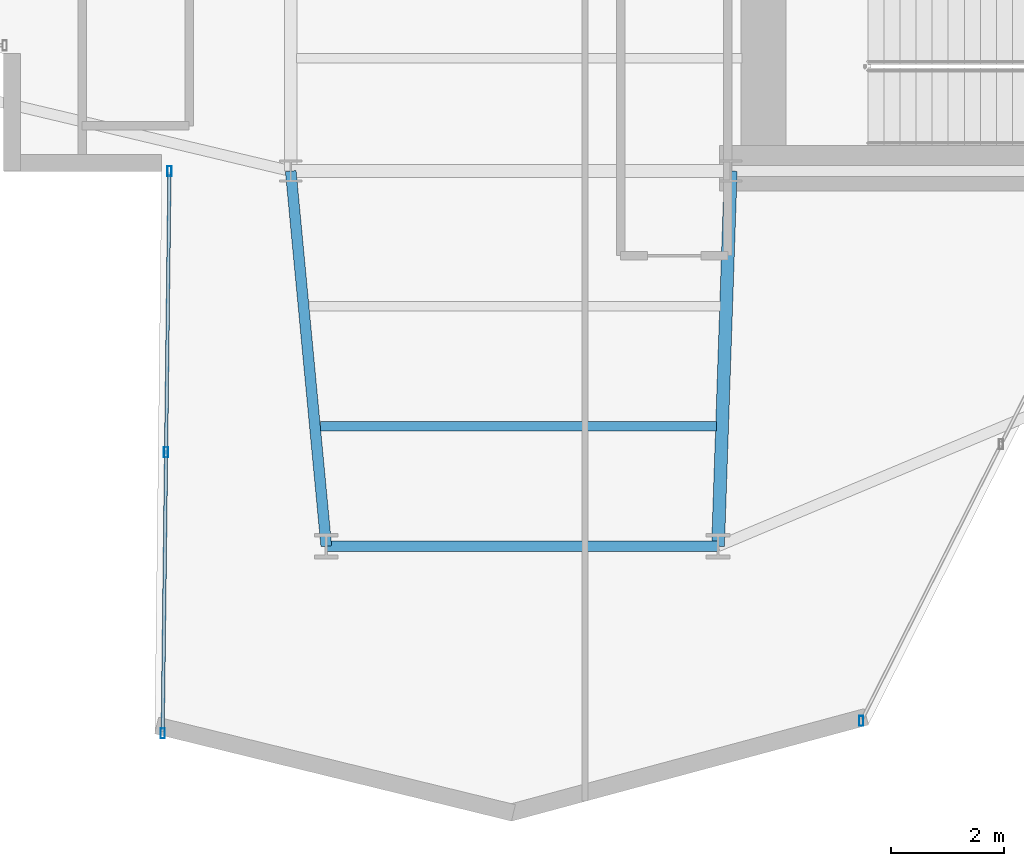
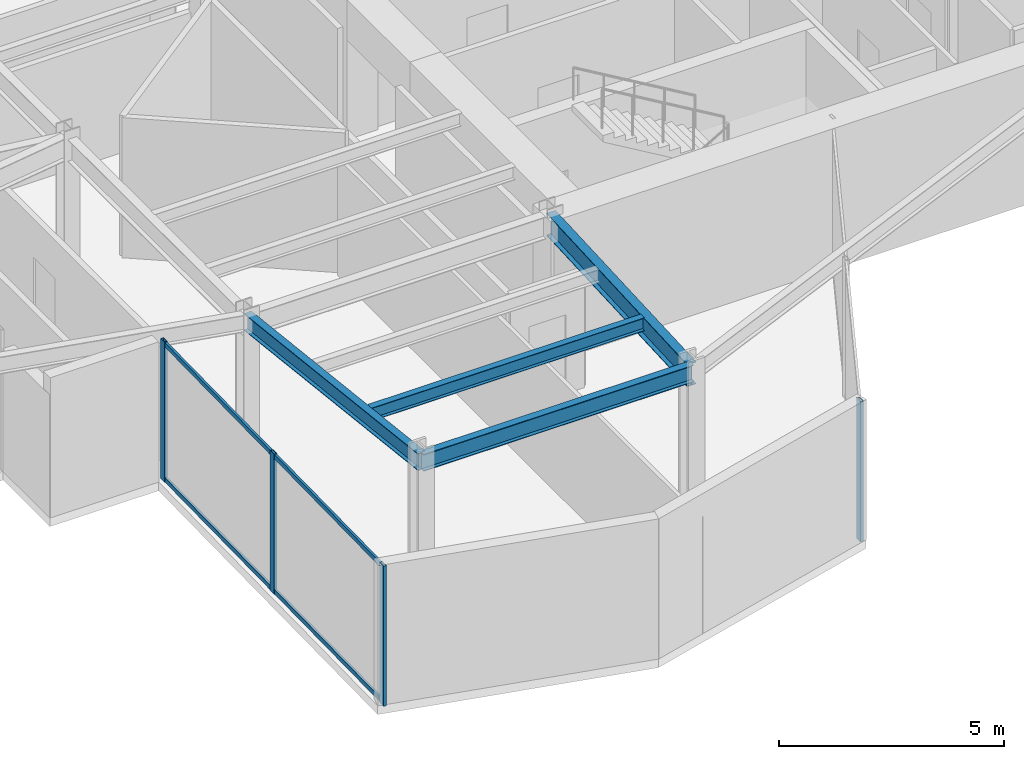
# One storey, part 4 of 26: 6 members, 4 beams, 2 elements without a shape of their own.
"""IFC4 building model written with IfcOpenShell, lengths in metres."""

import ifcopenshell
import ifcopenshell.guid

model = None  # the IFC model being written
_history = None  # IfcOwnerHistory: only IFC2X3 demands one
_inside = {}  # id of a spatial element -> (the spatial element, [elements in it])
_under = {}  # id of a project, library or spatial element -> (it, [spatial elements below it])
_declared = {}  # id of a project -> (the project, [libraries it declares])
_typed = {}  # id of a type object -> (the type object, [elements of that type])
_made_of = {}  # id of a material, layer set ... -> (it, [elements and type objects made of it])


def new_model(schema):
    """Start an empty IFC model of exactly this schema.

    Asked for "IFC4X3", IfcOpenShell would pick the latest addendum, in which some entities
    have other attributes; the version numbers below select the first issue.
    IFC2X3 requires an IfcOwnerHistory on every rooted entity: one is made here for all.
    """
    global model, _history
    if schema == "IFC4X3":
        model = ifcopenshell.file(schema_version=(4, 3, 0, 0))
    else:
        model = ifcopenshell.file(schema=schema)
    _inside.clear()
    _under.clear()
    _declared.clear()
    _typed.clear()
    _made_of.clear()
    _history = None
    if model.schema == "IFC2X3":
        org = make("IfcOrganization", Name="unknown")
        user = make(
            "IfcPersonAndOrganization",
            ThePerson=make("IfcPerson", FamilyName="unknown"),
            TheOrganization=org,
        )
        app = make(
            "IfcApplication",
            ApplicationDeveloper=org,
            Version="unknown",
            ApplicationFullName="unknown",
            ApplicationIdentifier="unknown",
        )
        _history = make(
            "IfcOwnerHistory",
            OwningUser=user,
            OwningApplication=app,
            ChangeAction="ADDED",
            CreationDate=0,
        )
    return model


def make(cls, **values):
    """One entity of the class cls with the attributes given. An attribute that is None is left unset."""
    return model.create_entity(
        cls, **{name: value for name, value in values.items() if value is not None}
    )


def rooted(cls, **values):
    """An entity with a GlobalId (a new one), such as an element, a storey or a relation."""
    return make(cls, GlobalId=ifcopenshell.guid.new(), OwnerHistory=_history, **values)


def si_unit(unit_type, name, prefix=None):
    """IfcSIUnit, for example si_unit("LENGTHUNIT", "METRE", prefix="MILLI")."""
    return make("IfcSIUnit", UnitType=unit_type, Prefix=prefix, Name=name)


def assignment(units):
    """IfcUnitAssignment: the units of a project."""
    return None if units is None else make("IfcUnitAssignment", Units=units)


def point(xyz):
    """IfcCartesianPoint."""
    return None if xyz is None else make("IfcCartesianPoint", Coordinates=xyz)


def direction(xyz):
    """IfcDirection."""
    return None if xyz is None else make("IfcDirection", DirectionRatios=xyz)


def frame(location, z_axis=None, x_axis=None):
    """IfcAxis2Placement3D, a coordinate frame: its origin and axes. An axis left out is left unset."""
    return make(
        "IfcAxis2Placement3D",
        Location=point(location),
        Axis=direction(z_axis),
        RefDirection=direction(x_axis),
    )


def frame_2d(location, x_axis=None):
    """IfcAxis2Placement2D, a coordinate frame in the plane: its origin and x axis."""
    return make(
        "IfcAxis2Placement2D", Location=point(location), RefDirection=direction(x_axis)
    )


def origin():
    """The frame at (0, 0, 0) with its axes left unset."""
    return frame((0.0, 0.0, 0.0))


def origin_2d():
    """The frame at (0, 0) in the plane with its x axis left unset."""
    return frame_2d((0.0, 0.0))


def place(relative_to, where):
    """IfcLocalPlacement: puts the frame where relative to a parent placement (None: the world)."""
    return make(
        "IfcLocalPlacement", PlacementRelTo=relative_to, RelativePlacement=where
    )


def context(
    kind, dimensions, precision=None, world=None, true_north=None, identifier=None
):
    """IfcGeometricRepresentationContext, for example the 3D "Model" context."""
    return make(
        "IfcGeometricRepresentationContext",
        ContextIdentifier=identifier,
        ContextType=kind,
        CoordinateSpaceDimension=dimensions,
        Precision=precision,
        WorldCoordinateSystem=world,
        TrueNorth=true_north,
    )


def subcontext(parent, identifier, kind, view, scale=None):
    """IfcGeometricRepresentationSubContext, for example "Body" below "Model"."""
    return make(
        "IfcGeometricRepresentationSubContext",
        ContextIdentifier=identifier,
        ContextType=kind,
        ParentContext=parent,
        TargetScale=scale,
        TargetView=view,
    )


def project(units=None, contexts=None):
    """IfcProject with its units and contexts."""
    return rooted(
        "IfcProject",
        Name="project",
        RepresentationContexts=contexts,
        UnitsInContext=assignment(units),
    )


def spatial(cls, under=None, at=None, **own):
    """A site, building, storey or space (cls), placed at a placement, below another one or the project."""
    s = rooted(cls, ObjectPlacement=at, **own)
    if under is not None:
        _under.setdefault(under.id(), (under, []))[1].append(s)
    return s


def profile(cls, at=None, kind="AREA", **sizes):
    """A parametric profile (cls). Its sizes go by their IFC names, for example OverallWidth=200.0."""
    return make(cls, ProfileType=kind, Position=at, **sizes)


def hollow_rectangle(**sizes):
    """IfcRectangleHollowProfileDef."""
    return profile("IfcRectangleHollowProfileDef", **sizes)


def i_section(**sizes):
    """IfcIShapeProfileDef."""
    return profile("IfcIShapeProfileDef", **sizes)


def extrude(swept, where, along, depth):
    """IfcExtrudedAreaSolid: the profile swept, set in the frame where, extruded along a direction by depth."""
    return make(
        "IfcExtrudedAreaSolid",
        SweptArea=swept,
        Position=where,
        ExtrudedDirection=direction(along),
        Depth=depth,
    )


def shape(context_of_items, identifier, shape_type, items):
    """IfcShapeRepresentation: the items that make up one representation, for example the "Body"."""
    return make(
        "IfcShapeRepresentation",
        ContextOfItems=context_of_items,
        RepresentationIdentifier=identifier,
        RepresentationType=shape_type,
        Items=items,
    )


def material(Name=None, Category=None):
    """IfcMaterial."""
    return make("IfcMaterial", Name=Name, Category=Category)


def layer(
    of_material, thickness, ventilated=None, Name=None, Category=None, Priority=None
):
    """IfcMaterialLayer: one layer of a wall or slab, of a material (None: an air gap)."""
    return make(
        "IfcMaterialLayer",
        Material=of_material,
        LayerThickness=thickness,
        IsVentilated=ventilated,
        Name=Name,
        Category=Category,
        Priority=Priority,
    )


def layer_set(layers, Name=None):
    """IfcMaterialLayerSet."""
    return make("IfcMaterialLayerSet", MaterialLayers=layers, LayerSetName=Name)


def material_profile(
    of_material, cross_section, Name=None, Category=None, Priority=None
):
    """IfcMaterialProfile: a cross section and its material."""
    return make(
        "IfcMaterialProfile",
        Name=Name,
        Material=of_material,
        Profile=cross_section,
        Priority=Priority,
        Category=Category,
    )


def profile_set(profiles, Name=None, composite=None):
    """IfcMaterialProfileSet."""
    return make(
        "IfcMaterialProfileSet",
        Name=Name,
        MaterialProfiles=profiles,
        CompositeProfile=composite,
    )


def made_of(thing, what):
    """Note that an element or type object is made of a material, layer set ...; save() writes the relation."""
    if what is not None:
        _made_of.setdefault(what.id(), (what, []))[1].append(thing)
    return thing


def type_object(cls, material=None, **own):
    """A type object (cls), such as IfcWallType, which elements share."""
    return made_of(rooted(cls, **own), material)


def element(
    cls,
    number,
    at=None,
    inside=None,
    cuts=None,
    type_object=None,
    material=None,
    context=None,
    identifier="Body",
    shape_type=None,
    held_by="IfcProductDefinitionShape",
    body=None,
    shapes=None,
    **own,
):
    """One element of the class cls, such as IfcWall. Its Tag is "e" and its number.

    at: its placement. inside: the storey or other place that contains it. cuts: it is an
    opening in that element (IfcRelVoidsElement). A single representation is given by context,
    identifier, shape_type and body (its items); several are given by shapes. held_by: the class
    of the entity that holds the representations. save() writes the other relations.
    """
    e = rooted(cls, Tag="e%d" % number, ObjectPlacement=at, **own)
    if body is not None:
        shapes = [shape(context, identifier, shape_type, body)]
    if shapes is not None:
        e.Representation = make(held_by, Representations=shapes)
    if inside is not None:
        _inside.setdefault(inside.id(), (inside, []))[1].append(e)
    if cuts is not None:
        rooted(
            "IfcRelVoidsElement", RelatingBuildingElement=cuts, RelatedOpeningElement=e
        )
    if type_object is not None:
        _typed.setdefault(type_object.id(), (type_object, []))[1].append(e)
    return made_of(e, material)


def aggregate(whole, parts):
    """IfcRelAggregates: a whole, such as a stair, and the parts it consists of."""
    return rooted("IfcRelAggregates", RelatingObject=whole, RelatedObjects=parts)


def save(model, path):
    """Write the relations noted so far, then the file.

    IfcRelAggregates (storeys below a building ...), IfcRelContainedInSpatialStructure (elements
    in a storey), IfcRelDefinesByType, IfcRelAssociatesMaterial and IfcRelDeclares: one each for
    every whole, place, type object, material and project.
    """
    for whole, parts in _under.values():
        aggregate(whole, parts)
    for where, things in _inside.values():
        rooted(
            "IfcRelContainedInSpatialStructure",
            RelatedElements=things,
            RelatingStructure=where,
        )
    for kind, things in _typed.values():
        rooted("IfcRelDefinesByType", RelatedObjects=things, RelatingType=kind)
    for what, things in _made_of.values():
        rooted("IfcRelAssociatesMaterial", RelatedObjects=things, RelatingMaterial=what)
    for by, libraries in _declared.values():
        rooted("IfcRelDeclares", RelatingContext=by, RelatedDefinitions=libraries)
    model.write(path)


model = new_model("IFC4")

# Units and contexts
model_context = context("Model", 3, precision=1e-05, world=origin(), true_north=direction((0.0, 1.0)))
body_context = subcontext(model_context, "Body", "Model", "MODEL_VIEW")
ifc_project = project(units=[si_unit("LENGTHUNIT", "METRE"), si_unit("AREAUNIT", "SQUARE_METRE"), si_unit("VOLUMEUNIT", "CUBIC_METRE"), si_unit("PLANEANGLEUNIT", "RADIAN"), si_unit("MASSUNIT", "GRAM", prefix="KILO")], contexts=[model_context])

# Site, building, storey
site_placement = place(None, origin())
site = spatial("IfcSite", under=ifc_project, at=site_placement, CompositionType="ELEMENT")
building_placement = place(site_placement, origin())
building = spatial("IfcBuilding", under=site, at=building_placement, Name="Veymaron Broadcast Tower", CompositionType="ELEMENT")
storey_placement = place(building_placement, frame((0.0, 0.0, 133.050048828125)))
storey = spatial("IfcBuildingStorey", under=building, at=storey_placement, Name="L30", CompositionType="ELEMENT", Elevation=133.050048828125)

# Beams
ifc_material_1 = material(Name="Structural steel ASTM A992 Gr 50", Category="steel")
ifc_material_profile_1 = material_profile(ifc_material_1, i_section(OverallWidth=0.22802734375, OverallDepth=0.60791015625, WebThickness=0.01123046875, FlangeThickness=0.017333984375, at=origin_2d()), Name="W610X113")
ifc_profile_set_1 = profile_set([ifc_material_profile_1], Name="Structural steel ASTM A992 Gr 50")
beam_type_1 = type_object("IfcBeamType", Name="BM-FG2", PredefinedType="BEAM", material=ifc_profile_set_1)
beam_1_placement = place(storey_placement, frame((39.0, 16.0, 3.505859375), z_axis=(-0.033830392706, -0.999427588437, 0.0), x_axis=(0.999427588437, -0.033830392706, 0.0)))
element("IfcBeam", 1, at=beam_1_placement, inside=storey, type_object=beam_type_1, Name="L30 primary structural floor girder", PredefinedType="BEAM", context=body_context, shape_type="SweptSolid", body=[
    extrude(i_section(OverallWidth=0.22802734375, OverallDepth=0.60791015625, WebThickness=0.01123046875, FlangeThickness=0.017333984375, at=origin_2d()), origin(), (0.0, 0.0, 1.0), 6.65380859375),
])
ifc_material_profile_2 = material_profile(ifc_material_1, i_section(OverallWidth=0.1708984375, OverallDepth=0.35498046875, WebThickness=0.007080078125, FlangeThickness=0.01171875, at=origin_2d()), Name="W360X51")
ifc_profile_set_2 = profile_set([ifc_material_profile_2], Name="Structural steel ASTM A992 Gr 50")
beam_type_2 = type_object("IfcBeamType", Name="BM-JS2", PredefinedType="JOIST", material=ifc_profile_set_2)
beam_2_placement = place(storey_placement, frame((31.728515625, 11.47802734375, 3.632568359375), z_axis=(1.0, 0.0, 0.0), x_axis=(0.0, 1.0, 0.0)))
element("IfcBeam", 2, at=beam_2_placement, inside=storey, type_object=beam_type_2, Name="L30 Arm-C secondary joist 2", PredefinedType="JOIST", context=body_context, shape_type="SweptSolid", body=[
    extrude(i_section(OverallWidth=0.1708984375, OverallDepth=0.35498046875, WebThickness=0.007080078125, FlangeThickness=0.01171875, at=origin_2d()), origin(), (0.0, 0.0, 1.0), 7.0185546875),
])
ifc_material_profile_3 = material_profile(ifc_material_1, i_section(OverallWidth=0.19091796875, OverallDepth=0.4599609375, WebThickness=0.010009765625, FlangeThickness=0.01611328125, at=origin_2d()), Name="W460X82")
ifc_profile_set_3 = profile_set([ifc_material_profile_3], Name="Structural steel ASTM A992 Gr 50")
beam_type_3 = type_object("IfcBeamType", Name="BM-SP1", PredefinedType="SPANDREL", material=ifc_profile_set_3)
beam_3_placement = place(storey_placement, frame((31.199951171875, 16.0, 3.579833984375), z_axis=(0.094334757201, -0.995540533371, 0.0), x_axis=(0.995540533371, 0.094334757201, 0.0)))
element("IfcBeam", 3, at=beam_3_placement, inside=storey, type_object=beam_type_3, Name="L30 primary structural floor girder", PredefinedType="SPANDREL", context=body_context, shape_type="SweptSolid", body=[
    extrude(i_section(OverallWidth=0.19091796875, OverallDepth=0.4599609375, WebThickness=0.010009765625, FlangeThickness=0.01611328125, at=origin_2d()), origin(), (0.0, 0.0, 1.0), 6.6796875),
])
beam_4_placement = place(storey_placement, frame((31.830078125, 9.35009765625, 3.579833984375), z_axis=(1.0, 0.0, 0.0), x_axis=(0.0, 1.0, 0.0)))
element("IfcBeam", 4, at=beam_4_placement, inside=storey, type_object=beam_type_3, Name="L30 primary structural floor girder", PredefinedType="SPANDREL", context=body_context, shape_type="SweptSolid", body=[
    extrude(i_section(OverallWidth=0.19091796875, OverallDepth=0.4599609375, WebThickness=0.010009765625, FlangeThickness=0.01611328125, at=origin_2d()), origin(), (0.0, 0.0, 1.0), 6.94482421875),
])

# Curtain wall, members
ifc_material_2 = material(Name="Anodised aluminium AA 6063-T6 and laminated low-E dark glass", Category="aluminium")
ifc_layer = layer(ifc_material_2, 0.179931640625)
ifc_layer_set = layer_set([ifc_layer], Name="Anodised aluminium AA 6063-T6 and laminated low-E dark glass")
curtain_wall_type = type_object("IfcCurtainWallType", Name="CW-SYS-03", PredefinedType="NOTDEFINED", material=ifc_layer_set)
curtain_wall_1_placement = place(storey_placement, origin())
curtain_wall_1 = element("IfcCurtainWall", 5, at=curtain_wall_1_placement, inside=storey, type_object=curtain_wall_type, Name="L30 dark-glass curtain wall CW-L30-E17-1", PredefinedType="NOTDEFINED")
ifc_material_3 = material(Name="Anodised aluminium AA 6063-T6", Category="aluminium")
ifc_material_profile_4 = material_profile(ifc_material_3, hollow_rectangle(XDim=0.074951171875, YDim=0.179931640625, WallThickness=0.0048828125, at=origin_2d()), Name="AL180X75X5")
ifc_profile_set_4 = profile_set([ifc_material_profile_4], Name="Anodised aluminium AA 6063-T6")
member_type_1 = type_object("IfcMemberType", Name="CW-MUL-02", PredefinedType="MULLION", material=ifc_profile_set_4)
member_1_placement = place(storey_placement, frame((29.05029296875, 15.998291015625, 0.0), z_axis=(0.0, 0.0, 1.0), x_axis=(1.0, 0.0, 0.0)))
member_1 = element("IfcMember", 6, at=member_1_placement, type_object=member_type_1, Name="CW-L30-E17-1 mullion 0", PredefinedType="MULLION", context=body_context, shape_type="SweptSolid", body=[
    extrude(hollow_rectangle(XDim=0.074951171875, YDim=0.179931640625, WallThickness=0.0048828125, at=origin_2d()), origin(), (0.0, 0.0, 1.0), 3.81005859375),
])
member_2_placement = place(storey_placement, frame((28.989990234375, 11.015869140625, 0.0), z_axis=(0.0, 0.0, 1.0), x_axis=(1.0, 0.0, 0.0)))
member_2 = element("IfcMember", 7, at=member_2_placement, type_object=member_type_1, Name="CW-L30-E17-1 mullion 1", PredefinedType="MULLION", context=body_context, shape_type="SweptSolid", body=[
    extrude(hollow_rectangle(XDim=0.074951171875, YDim=0.179931640625, WallThickness=0.0048828125, at=origin_2d()), origin(), (0.0, 0.0, 1.0), 3.81005859375),
])
member_3_placement = place(storey_placement, frame((28.929931640625, 6.033203125, 0.0), z_axis=(0.0, 0.0, 1.0), x_axis=(1.0, 0.0, 0.0)))
member_3 = element("IfcMember", 8, at=member_3_placement, type_object=member_type_1, Name="CW-L30-E17-1 mullion 2", PredefinedType="MULLION", context=body_context, shape_type="SweptSolid", body=[
    extrude(hollow_rectangle(XDim=0.074951171875, YDim=0.179931640625, WallThickness=0.0048828125, at=origin_2d()), origin(), (0.0, 0.0, 1.0), 3.81005859375),
])

# Curtain wall, member
curtain_wall_2_placement = place(storey_placement, origin())
curtain_wall_2 = element("IfcCurtainWall", 9, at=curtain_wall_2_placement, inside=storey, type_object=curtain_wall_type, Name="L30 dark-glass curtain wall CW-L30-E20-1", PredefinedType="NOTDEFINED")
member_4_placement = place(storey_placement, frame((41.31494140625, 6.253173828125, 0.0), z_axis=(0.0, 0.0, 1.0), x_axis=(1.0, 0.0, 0.0)))
member_4 = element("IfcMember", 10, at=member_4_placement, type_object=member_type_1, Name="CW-L30-E20-1 mullion 0", PredefinedType="MULLION", context=body_context, shape_type="SweptSolid", body=[
    extrude(hollow_rectangle(XDim=0.074951171875, YDim=0.179931640625, WallThickness=0.0048828125, at=origin_2d()), origin(), (0.0, 0.0, 1.0), 3.81005859375),
])
aggregate(curtain_wall_2, [member_4])

# Member
ifc_material_profile_5 = material_profile(ifc_material_3, hollow_rectangle(XDim=0.06005859375, YDim=0.1201171875, WallThickness=0.00390625, at=origin_2d()), Name="AL120X60X4")
ifc_profile_set_5 = profile_set([ifc_material_profile_5], Name="Anodised aluminium AA 6063-T6")
member_type_2 = type_object("IfcMemberType", Name="CW-TRN-02", PredefinedType="USERDEFINED", material=ifc_profile_set_5)
member_5_placement = place(storey_placement, frame((29.0498046875, 15.9482421875, 0.070068359375), z_axis=(-0.012076234683, -0.999927079619, 0.0), x_axis=(0.999927079619, -0.012076234683, 0.0)))
member_5 = element("IfcMember", 11, at=member_5_placement, type_object=member_type_2, Name="CW-L30-E17-1 transom B", ObjectType="TRANSOM", PredefinedType="USERDEFINED", context=body_context, shape_type="SweptSolid", body=[
    extrude(hollow_rectangle(XDim=0.06005859375, YDim=0.1201171875, WallThickness=0.00390625, at=origin_2d()), origin(), (0.0, 0.0, 1.0), 9.86572265625),
])

member_6_placement = place(storey_placement, frame((29.0498046875, 15.9482421875, 3.739990234375), z_axis=(-0.012076234683, -0.999927079619, 0.0), x_axis=(0.999927079619, -0.012076234683, 0.0)))
member_6 = element("IfcMember", 12, at=member_6_placement, type_object=member_type_2, Name="CW-L30-E17-1 transom T", ObjectType="TRANSOM", PredefinedType="USERDEFINED", context=body_context, shape_type="SweptSolid", body=[
    extrude(hollow_rectangle(XDim=0.06005859375, YDim=0.1201171875, WallThickness=0.00390625, at=origin_2d()), origin(), (0.0, 0.0, 1.0), 9.86572265625),
])

aggregate(curtain_wall_1, [member_1, member_2, member_3, member_5, member_6])

save(model, "model.ifc")
